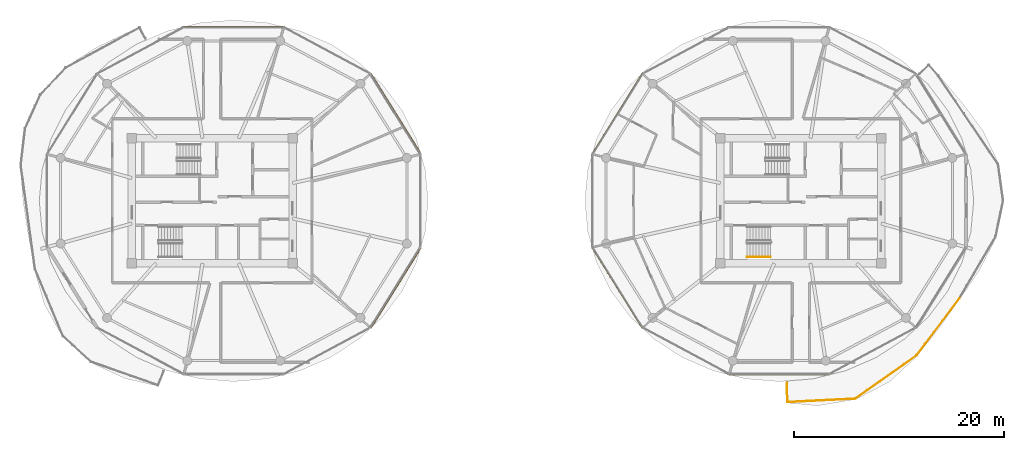
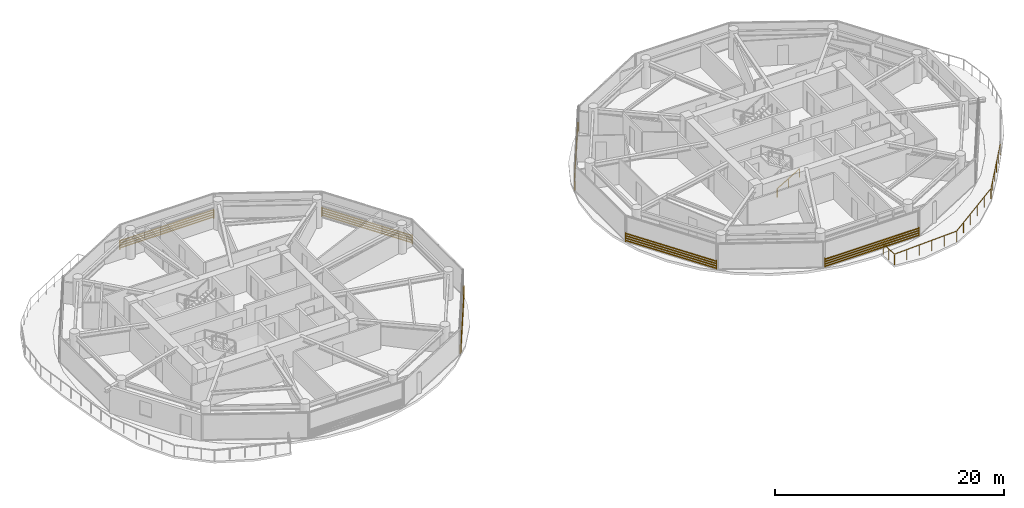
# One storey, part 21 of 23: 6 shading devices, 2 railings.
"""IFC4 building model written with IfcOpenShell, lengths in metres."""

import ifcopenshell
import ifcopenshell.guid

model = None  # the IFC model being written
_history = None  # IfcOwnerHistory: only IFC2X3 demands one
_inside = {}  # id of a spatial element -> (the spatial element, [elements in it])
_under = {}  # id of a project, library or spatial element -> (it, [spatial elements below it])
_declared = {}  # id of a project -> (the project, [libraries it declares])
_typed = {}  # id of a type object -> (the type object, [elements of that type])
_made_of = {}  # id of a material, layer set ... -> (it, [elements and type objects made of it])


def new_model(schema):
    """Start an empty IFC model of exactly this schema.

    Asked for "IFC4X3", IfcOpenShell would pick the latest addendum, in which some entities
    have other attributes; the version numbers below select the first issue.
    IFC2X3 requires an IfcOwnerHistory on every rooted entity: one is made here for all.
    """
    global model, _history
    if schema == "IFC4X3":
        model = ifcopenshell.file(schema_version=(4, 3, 0, 0))
    else:
        model = ifcopenshell.file(schema=schema)
    _inside.clear()
    _under.clear()
    _declared.clear()
    _typed.clear()
    _made_of.clear()
    _history = None
    if model.schema == "IFC2X3":
        org = make("IfcOrganization", Name="unknown")
        user = make(
            "IfcPersonAndOrganization",
            ThePerson=make("IfcPerson", FamilyName="unknown"),
            TheOrganization=org,
        )
        app = make(
            "IfcApplication",
            ApplicationDeveloper=org,
            Version="unknown",
            ApplicationFullName="unknown",
            ApplicationIdentifier="unknown",
        )
        _history = make(
            "IfcOwnerHistory",
            OwningUser=user,
            OwningApplication=app,
            ChangeAction="ADDED",
            CreationDate=0,
        )
    return model


def make(cls, **values):
    """One entity of the class cls with the attributes given. An attribute that is None is left unset."""
    return model.create_entity(
        cls, **{name: value for name, value in values.items() if value is not None}
    )


def rooted(cls, **values):
    """An entity with a GlobalId (a new one), such as an element, a storey or a relation."""
    return make(cls, GlobalId=ifcopenshell.guid.new(), OwnerHistory=_history, **values)


def si_unit(unit_type, name, prefix=None):
    """IfcSIUnit, for example si_unit("LENGTHUNIT", "METRE", prefix="MILLI")."""
    return make("IfcSIUnit", UnitType=unit_type, Prefix=prefix, Name=name)


def assignment(units):
    """IfcUnitAssignment: the units of a project."""
    return None if units is None else make("IfcUnitAssignment", Units=units)


def point(xyz):
    """IfcCartesianPoint."""
    return None if xyz is None else make("IfcCartesianPoint", Coordinates=xyz)


def direction(xyz):
    """IfcDirection."""
    return None if xyz is None else make("IfcDirection", DirectionRatios=xyz)


def frame(location, z_axis=None, x_axis=None):
    """IfcAxis2Placement3D, a coordinate frame: its origin and axes. An axis left out is left unset."""
    return make(
        "IfcAxis2Placement3D",
        Location=point(location),
        Axis=direction(z_axis),
        RefDirection=direction(x_axis),
    )


def frame_2d(location, x_axis=None):
    """IfcAxis2Placement2D, a coordinate frame in the plane: its origin and x axis."""
    return make(
        "IfcAxis2Placement2D", Location=point(location), RefDirection=direction(x_axis)
    )


def origin():
    """The frame at (0, 0, 0) with its axes left unset."""
    return frame((0.0, 0.0, 0.0))


def origin_2d():
    """The frame at (0, 0) in the plane with its x axis left unset."""
    return frame_2d((0.0, 0.0))


def place(relative_to, where):
    """IfcLocalPlacement: puts the frame where relative to a parent placement (None: the world)."""
    return make(
        "IfcLocalPlacement", PlacementRelTo=relative_to, RelativePlacement=where
    )


def context(
    kind, dimensions, precision=None, world=None, true_north=None, identifier=None
):
    """IfcGeometricRepresentationContext, for example the 3D "Model" context."""
    return make(
        "IfcGeometricRepresentationContext",
        ContextIdentifier=identifier,
        ContextType=kind,
        CoordinateSpaceDimension=dimensions,
        Precision=precision,
        WorldCoordinateSystem=world,
        TrueNorth=true_north,
    )


def subcontext(parent, identifier, kind, view, scale=None):
    """IfcGeometricRepresentationSubContext, for example "Body" below "Model"."""
    return make(
        "IfcGeometricRepresentationSubContext",
        ContextIdentifier=identifier,
        ContextType=kind,
        ParentContext=parent,
        TargetScale=scale,
        TargetView=view,
    )


def project(units=None, contexts=None):
    """IfcProject with its units and contexts."""
    return rooted(
        "IfcProject",
        Name="project",
        RepresentationContexts=contexts,
        UnitsInContext=assignment(units),
    )


def spatial(cls, under=None, at=None, **own):
    """A site, building, storey or space (cls), placed at a placement, below another one or the project."""
    s = rooted(cls, ObjectPlacement=at, **own)
    if under is not None:
        _under.setdefault(under.id(), (under, []))[1].append(s)
    return s


def profile(cls, at=None, kind="AREA", **sizes):
    """A parametric profile (cls). Its sizes go by their IFC names, for example OverallWidth=200.0."""
    return make(cls, ProfileType=kind, Position=at, **sizes)


def rectangle(**sizes):
    """IfcRectangleProfileDef."""
    return profile("IfcRectangleProfileDef", **sizes)


def extrude(swept, where, along, depth):
    """IfcExtrudedAreaSolid: the profile swept, set in the frame where, extruded along a direction by depth."""
    return make(
        "IfcExtrudedAreaSolid",
        SweptArea=swept,
        Position=where,
        ExtrudedDirection=direction(along),
        Depth=depth,
    )


def shape(context_of_items, identifier, shape_type, items):
    """IfcShapeRepresentation: the items that make up one representation, for example the "Body"."""
    return make(
        "IfcShapeRepresentation",
        ContextOfItems=context_of_items,
        RepresentationIdentifier=identifier,
        RepresentationType=shape_type,
        Items=items,
    )


def source(mapping_origin, context_of_items, identifier, shape_type, items):
    """IfcRepresentationMap: a shape defined once, which mapped items show again and again."""
    return make(
        "IfcRepresentationMap",
        MappingOrigin=mapping_origin,
        MappedRepresentation=shape(context_of_items, identifier, shape_type, items),
    )


def transform(
    local_origin,
    x_axis=None,
    y_axis=None,
    z_axis=None,
    scale=None,
    scale2=None,
    scale3=None,
    uniform=True,
):
    """IfcCartesianTransformationOperator3D, or its non-uniform kind. x_axis, y_axis, z_axis: its Axis1, 2, 3."""
    if uniform:
        return make(
            "IfcCartesianTransformationOperator3D",
            Axis1=direction(x_axis),
            Axis2=direction(y_axis),
            LocalOrigin=point(local_origin),
            Scale=scale,
            Axis3=direction(z_axis),
        )
    return make(
        "IfcCartesianTransformationOperator3DnonUniform",
        Axis1=direction(x_axis),
        Axis2=direction(y_axis),
        LocalOrigin=point(local_origin),
        Scale=scale,
        Axis3=direction(z_axis),
        Scale2=scale2,
        Scale3=scale3,
    )


def mapped(mapping_source, mapping_target):
    """IfcMappedItem: shows the shape of a source again, moved by a transform."""
    return make(
        "IfcMappedItem", MappingSource=mapping_source, MappingTarget=mapping_target
    )


def material(Name=None, Category=None):
    """IfcMaterial."""
    return make("IfcMaterial", Name=Name, Category=Category)


def made_of(thing, what):
    """Note that an element or type object is made of a material, layer set ...; save() writes the relation."""
    if what is not None:
        _made_of.setdefault(what.id(), (what, []))[1].append(thing)
    return thing


def type_object(cls, material=None, **own):
    """A type object (cls), such as IfcWallType, which elements share."""
    return made_of(rooted(cls, **own), material)


def type_shapes(of_type, sources):
    """Give a type object the sources (RepresentationMaps) that its elements show as mapped items."""
    of_type.RepresentationMaps = sources


def element(
    cls,
    number,
    at=None,
    inside=None,
    cuts=None,
    type_object=None,
    material=None,
    context=None,
    identifier="Body",
    shape_type=None,
    held_by="IfcProductDefinitionShape",
    body=None,
    shapes=None,
    **own,
):
    """One element of the class cls, such as IfcWall. Its Tag is "e" and its number.

    at: its placement. inside: the storey or other place that contains it. cuts: it is an
    opening in that element (IfcRelVoidsElement). A single representation is given by context,
    identifier, shape_type and body (its items); several are given by shapes. held_by: the class
    of the entity that holds the representations. save() writes the other relations.
    """
    e = rooted(cls, Tag="e%d" % number, ObjectPlacement=at, **own)
    if body is not None:
        shapes = [shape(context, identifier, shape_type, body)]
    if shapes is not None:
        e.Representation = make(held_by, Representations=shapes)
    if inside is not None:
        _inside.setdefault(inside.id(), (inside, []))[1].append(e)
    if cuts is not None:
        rooted(
            "IfcRelVoidsElement", RelatingBuildingElement=cuts, RelatedOpeningElement=e
        )
    if type_object is not None:
        _typed.setdefault(type_object.id(), (type_object, []))[1].append(e)
    return made_of(e, material)


def aggregate(whole, parts):
    """IfcRelAggregates: a whole, such as a stair, and the parts it consists of."""
    return rooted("IfcRelAggregates", RelatingObject=whole, RelatedObjects=parts)


def save(model, path):
    """Write the relations noted so far, then the file.

    IfcRelAggregates (storeys below a building ...), IfcRelContainedInSpatialStructure (elements
    in a storey), IfcRelDefinesByType, IfcRelAssociatesMaterial and IfcRelDeclares: one each for
    every whole, place, type object, material and project.
    """
    for whole, parts in _under.values():
        aggregate(whole, parts)
    for where, things in _inside.values():
        rooted(
            "IfcRelContainedInSpatialStructure",
            RelatedElements=things,
            RelatingStructure=where,
        )
    for kind, things in _typed.values():
        rooted("IfcRelDefinesByType", RelatedObjects=things, RelatingType=kind)
    for what, things in _made_of.values():
        rooted("IfcRelAssociatesMaterial", RelatedObjects=things, RelatingMaterial=what)
    for by, libraries in _declared.values():
        rooted("IfcRelDeclares", RelatingContext=by, RelatedDefinitions=libraries)
    model.write(path)


model = new_model("IFC4")

# Units and contexts
model_context = context("Model", 3, precision=1e-05, world=origin(), true_north=direction((0.0, 1.0)))
body_context = subcontext(model_context, "Body", "Model", "MODEL_VIEW")
ifc_project = project(units=[si_unit("LENGTHUNIT", "METRE"), si_unit("AREAUNIT", "SQUARE_METRE"), si_unit("VOLUMEUNIT", "CUBIC_METRE"), si_unit("PLANEANGLEUNIT", "RADIAN"), si_unit("MASSUNIT", "GRAM", prefix="KILO")], contexts=[model_context])

# Site, building, storey
site_placement = place(None, origin())
site = spatial("IfcSite", under=ifc_project, at=site_placement, CompositionType="ELEMENT")
building_placement = place(site_placement, origin())
building = spatial("IfcBuilding", under=site, at=building_placement, Name="Norrkilde Senior Care Towers", CompositionType="ELEMENT")
storey_placement = place(building_placement, frame((0.0, 0.0, 93.199951171875)))
storey = spatial("IfcBuildingStorey", under=building, at=storey_placement, Name="L28", CompositionType="ELEMENT", Elevation=93.199951171875)

# Railings
ifc_material_1 = material(Name="Anodised Aluminium", Category="aluminium")
railing_type_1 = type_object("IfcRailingType", Name="Balcony Swirl Ribbon Guardrail 1150", PredefinedType="GUARDRAIL", material=ifc_material_1)
railing_1_placement = place(storey_placement, frame((43.0849609375, -9.286376953125, 0.0)))
element("IfcRailing", 1, at=railing_1_placement, inside=storey, type_object=railing_type_1, Name="L28 Perimeter Safety Guard 01", PredefinedType="GUARDRAIL", context=body_context, shape_type="SweptSolid", body=[
    extrude(rectangle(XDim=0.048095703125, YDim=0.048095703125, at=origin_2d()), frame((0.0, 0.0, 1.1259765625), z_axis=(-0.599285099511, -0.800535676597, 0.0), x_axis=(0.800535676597, -0.599285099511, 0.0)), (0.0, 0.0, 1.0), 6.73681640625),
    extrude(rectangle(XDim=0.048095703125, YDim=0.048095703125, at=origin_2d()), frame((-4.09521484375, -5.449462890625, 1.1259765625), z_axis=(-0.817210085058, -0.576339897005, 0.0), x_axis=(0.576339897005, -0.817210085058, 0.0)), (0.0, 0.0, 1.0), 7.06689453125),
    extrude(rectangle(XDim=0.048095703125, YDim=0.048095703125, at=origin_2d()), frame((-9.944580078125, -9.5478515625, 1.1259765625), z_axis=(-0.998727401174, -0.050433898767, 0.0), x_axis=(0.050433898767, -0.998727401174, 0.0)), (0.0, 0.0, 1.0), 6.37109375),
    extrude(rectangle(XDim=0.048095703125, YDim=0.048095703125, at=origin_2d()), frame((-16.349853515625, -9.83056640625, 1.1259765625), z_axis=(-0.036815031368, 0.999322096956, 0.0), x_axis=(-0.999322096956, -0.036815031368, 0.0)), (0.0, 0.0, 1.0), 1.796142578125),
    extrude(rectangle(XDim=0.0419921875, YDim=0.0419921875, at=origin_2d()), origin(), (0.0, 0.0, 1.0), 1.099853515625),
    extrude(rectangle(XDim=0.0419921875, YDim=0.0419921875, at=origin_2d()), frame((-0.812255859375, -1.085205078125, 0.0)), (0.0, 0.0, 1.0), 1.099853515625),
    extrude(rectangle(XDim=0.0419921875, YDim=0.0419921875, at=origin_2d()), frame((-1.624755859375, -2.17041015625, 0.0)), (0.0, 0.0, 1.0), 1.099853515625),
    extrude(rectangle(XDim=0.0419921875, YDim=0.0419921875, at=origin_2d()), frame((-2.43701171875, -3.25537109375, 0.0)), (0.0, 0.0, 1.0), 1.099853515625),
    extrude(rectangle(XDim=0.0419921875, YDim=0.0419921875, at=origin_2d()), frame((-3.24951171875, -4.340576171875, 0.0)), (0.0, 0.0, 1.0), 1.099853515625),
    extrude(rectangle(XDim=0.0419921875, YDim=0.0419921875, at=origin_2d()), frame((-4.061767578125, -5.42578125, 0.0)), (0.0, 0.0, 1.0), 1.099853515625),
    extrude(rectangle(XDim=0.0419921875, YDim=0.0419921875, at=origin_2d()), frame((-5.230224609375, -6.249755859375, 0.0)), (0.0, 0.0, 1.0), 1.099853515625),
    extrude(rectangle(XDim=0.0419921875, YDim=0.0419921875, at=origin_2d()), frame((-6.398681640625, -7.07373046875, 0.0)), (0.0, 0.0, 1.0), 1.099853515625),
    extrude(rectangle(XDim=0.0419921875, YDim=0.0419921875, at=origin_2d()), frame((-7.56689453125, -7.89794921875, 0.0)), (0.0, 0.0, 1.0), 1.099853515625),
    extrude(rectangle(XDim=0.0419921875, YDim=0.0419921875, at=origin_2d()), frame((-8.7353515625, -8.721923828125, 0.0)), (0.0, 0.0, 1.0), 1.099853515625),
    extrude(rectangle(XDim=0.0419921875, YDim=0.0419921875, at=origin_2d()), frame((-9.90380859375, -9.5458984375, 0.0)), (0.0, 0.0, 1.0), 1.099853515625),
    extrude(rectangle(XDim=0.0419921875, YDim=0.0419921875, at=origin_2d()), frame((-11.192626953125, -9.611083984375, 0.0)), (0.0, 0.0, 1.0), 1.099853515625),
    extrude(rectangle(XDim=0.0419921875, YDim=0.0419921875, at=origin_2d()), frame((-12.481689453125, -9.676025390625, 0.0)), (0.0, 0.0, 1.0), 1.099853515625),
    extrude(rectangle(XDim=0.0419921875, YDim=0.0419921875, at=origin_2d()), frame((-13.7705078125, -9.7412109375, 0.0)), (0.0, 0.0, 1.0), 1.099853515625),
    extrude(rectangle(XDim=0.0419921875, YDim=0.0419921875, at=origin_2d()), frame((-15.0595703125, -9.80615234375, 0.0)), (0.0, 0.0, 1.0), 1.099853515625),
    extrude(rectangle(XDim=0.0419921875, YDim=0.0419921875, at=origin_2d()), frame((-16.348388671875, -9.871337890625, 0.0)), (0.0, 0.0, 1.0), 1.099853515625),
    extrude(rectangle(XDim=0.0419921875, YDim=0.0419921875, at=origin_2d()), frame((-16.38232421875, -8.95361328125, 0.0)), (0.0, 0.0, 1.0), 1.099853515625),
    extrude(rectangle(XDim=0.0419921875, YDim=0.0419921875, at=origin_2d()), frame((-16.416015625, -8.03564453125, 0.0)), (0.0, 0.0, 1.0), 1.099853515625),
])
ifc_material_2 = material(Name="Nordic Ash Timber", Category="wood")
railing_type_2 = type_object("IfcRailingType", Name="Wall and Stair Handrail 900", PredefinedType="HANDRAIL", material=ifc_material_2)
railing_2_placement = place(storey_placement, frame((22.89990234375, -5.35009765625, 0.16943359375)))
element("IfcRailing", 2, at=railing_2_placement, inside=storey, type_object=railing_type_2, Name="L28 ST-E2 stair handrail 1", PredefinedType="HANDRAIL", context=body_context, shape_type="SweptSolid", body=[
    extrude(rectangle(XDim=0.048095703125, YDim=0.048095703125, at=origin_2d()), frame((0.0, 0.0, 0.8759765625), z_axis=(0.855512035549, 0.0, 0.517782924622), x_axis=(0.0, 1.0, 0.0)), (0.0, 0.0, 1.0), 2.618408203125),
    extrude(rectangle(XDim=0.0419921875, YDim=0.0419921875, at=origin_2d()), origin(), (0.0, 0.0, 1.0), 0.849853515625),
    extrude(rectangle(XDim=0.0419921875, YDim=0.0419921875, at=origin_2d()), frame((1.1201171875, 0.0, 0.677734375)), (0.0, 0.0, 1.0), 0.849853515625),
    extrude(rectangle(XDim=0.0419921875, YDim=0.0419921875, at=origin_2d()), frame((2.239990234375, 0.0, 1.355712890625)), (0.0, 0.0, 1.0), 0.849853515625),
])

# Shading devices
ifc_material_3 = material(Name="Architectural Terracotta", Category="masonry")
shading_device_type = type_object("IfcShadingDeviceType", Name="Horizontal Terracotta Baguette Rack", PredefinedType="USERDEFINED", material=ifc_material_3)
shared_shape_1 = source(origin(), body_context, "Body", "SweptSolid", [
    extrude(rectangle(XDim=0.070068359375, YDim=0.110107421875, at=origin_2d()), frame((0.0, 0.090087890625, 0.125), z_axis=(1.0, 0.0, 0.0), x_axis=(0.0, 1.0, 0.0)), (0.0, 0.0, 1.0), 9.01416015625),
    extrude(rectangle(XDim=0.070068359375, YDim=0.110107421875, at=origin_2d()), frame((0.0, 0.090087890625, 0.375), z_axis=(1.0, 0.0, 0.0), x_axis=(0.0, 1.0, 0.0)), (0.0, 0.0, 1.0), 9.01416015625),
    extrude(rectangle(XDim=0.070068359375, YDim=0.110107421875, at=origin_2d()), frame((0.0, 0.090087890625, 0.625), z_axis=(1.0, 0.0, 0.0), x_axis=(0.0, 1.0, 0.0)), (0.0, 0.0, 1.0), 9.01416015625),
    extrude(rectangle(XDim=0.070068359375, YDim=0.110107421875, at=origin_2d()), frame((0.0, 0.090087890625, 0.875), z_axis=(1.0, 0.0, 0.0), x_axis=(0.0, 1.0, 0.0)), (0.0, 0.0, 1.0), 9.01416015625),
    extrude(rectangle(XDim=0.050048828125, YDim=0.1552734375, at=origin_2d()), frame((0.02490234375, 0.047607421875, 0.0)), (0.0, 0.0, 1.0), 1.0),
    extrude(rectangle(XDim=0.050048828125, YDim=0.1552734375, at=origin_2d()), frame((8.9892578125, 0.047607421875, 0.0)), (0.0, 0.0, 1.0), 1.0),
])
for number, where, z_axis, x_axis, name in (
    (3, (-12.953369140625, 12.077392578125, 0.080078125), (0.0, 0.0, 1.0), (0.527734142246, -0.849412274525, 0.0), "L28 Drum W Terracotta Baguette Screen 00"),
    (4, (-8.1962890625, -4.420654296875, 0.080078125), (0.0, 0.0, 1.0), (-0.527734142246, -0.849412274525, 0.0), "L28 Drum W Terracotta Baguette Screen 10"),
    (5, (8.1962890625, 4.420654296875, 0.080078125), (0.0, 0.0, 1.0), (0.527734142246, 0.849412274525, 0.0), "L28 Drum E Terracotta Baguette Screen 04"),
    (6, (12.953369140625, -12.077392578125, 0.080078125), (0.0, 0.0, 1.0), (-0.527734142246, 0.849412274525, 0.0), "L28 Drum E Terracotta Baguette Screen 06"),
):
    element("IfcShadingDevice", number, at=place(storey_placement, frame(where, z_axis=z_axis, x_axis=x_axis)), inside=storey, type_object=shading_device_type, Name=name, ObjectType="BAGUETTE", PredefinedType="USERDEFINED", context=body_context, shape_type="MappedRepresentation", body=[
        mapped(shared_shape_1, transform((0.0, 0.0, 0.0), x_axis=(1.0, 0.0, 0.0), y_axis=(0.0, 1.0, 0.0), z_axis=(0.0, 0.0, 1.0), scale=1.0)),
    ])
shared_shape_2 = source(origin(), body_context, "Body", "SweptSolid", [
    extrude(rectangle(XDim=0.070068359375, YDim=0.110107421875, at=origin_2d()), frame((0.0, 0.090087890625, 0.125), z_axis=(1.0, 0.0, 0.0), x_axis=(0.0, 1.0, 0.0)), (0.0, 0.0, 1.0), 9.51416015625),
    extrude(rectangle(XDim=0.070068359375, YDim=0.110107421875, at=origin_2d()), frame((0.0, 0.090087890625, 0.375), z_axis=(1.0, 0.0, 0.0), x_axis=(0.0, 1.0, 0.0)), (0.0, 0.0, 1.0), 9.51416015625),
    extrude(rectangle(XDim=0.070068359375, YDim=0.110107421875, at=origin_2d()), frame((0.0, 0.090087890625, 0.625), z_axis=(1.0, 0.0, 0.0), x_axis=(0.0, 1.0, 0.0)), (0.0, 0.0, 1.0), 9.51416015625),
    extrude(rectangle(XDim=0.070068359375, YDim=0.110107421875, at=origin_2d()), frame((0.0, 0.090087890625, 0.875), z_axis=(1.0, 0.0, 0.0), x_axis=(0.0, 1.0, 0.0)), (0.0, 0.0, 1.0), 9.51416015625),
    extrude(rectangle(XDim=0.050048828125, YDim=0.1552734375, at=origin_2d()), frame((0.02490234375, 0.047607421875, 0.0)), (0.0, 0.0, 1.0), 1.0),
    extrude(rectangle(XDim=0.050048828125, YDim=0.1552734375, at=origin_2d()), frame((9.4892578125, 0.047607421875, 0.0)), (0.0, 0.0, 1.0), 1.0),
])
type_shapes(shading_device_type, [shared_shape_1, shared_shape_2])
for number, where, z_axis, x_axis, name in (
    (7, (-30.70703125, 16.498046875, 0.080078125), (0.0, 0.0, 1.0), (1.0, 0.0, 0.0), "L28 Drum W Terracotta Baguette Screen 02"),
    (8, (30.70703125, -16.498046875, 0.080078125), (0.0, 0.0, 1.0), (-1.0, 0.0, 0.0), "L28 Drum E Terracotta Baguette Screen 08"),
):
    element("IfcShadingDevice", number, at=place(storey_placement, frame(where, z_axis=z_axis, x_axis=x_axis)), inside=storey, type_object=shading_device_type, Name=name, ObjectType="BAGUETTE", PredefinedType="USERDEFINED", context=body_context, shape_type="MappedRepresentation", body=[
        mapped(shared_shape_2, transform((0.0, 0.0, 0.0), x_axis=(1.0, 0.0, 0.0), y_axis=(0.0, 1.0, 0.0), z_axis=(0.0, 0.0, 1.0), scale=1.0)),
    ])

save(model, "model.ifc")
